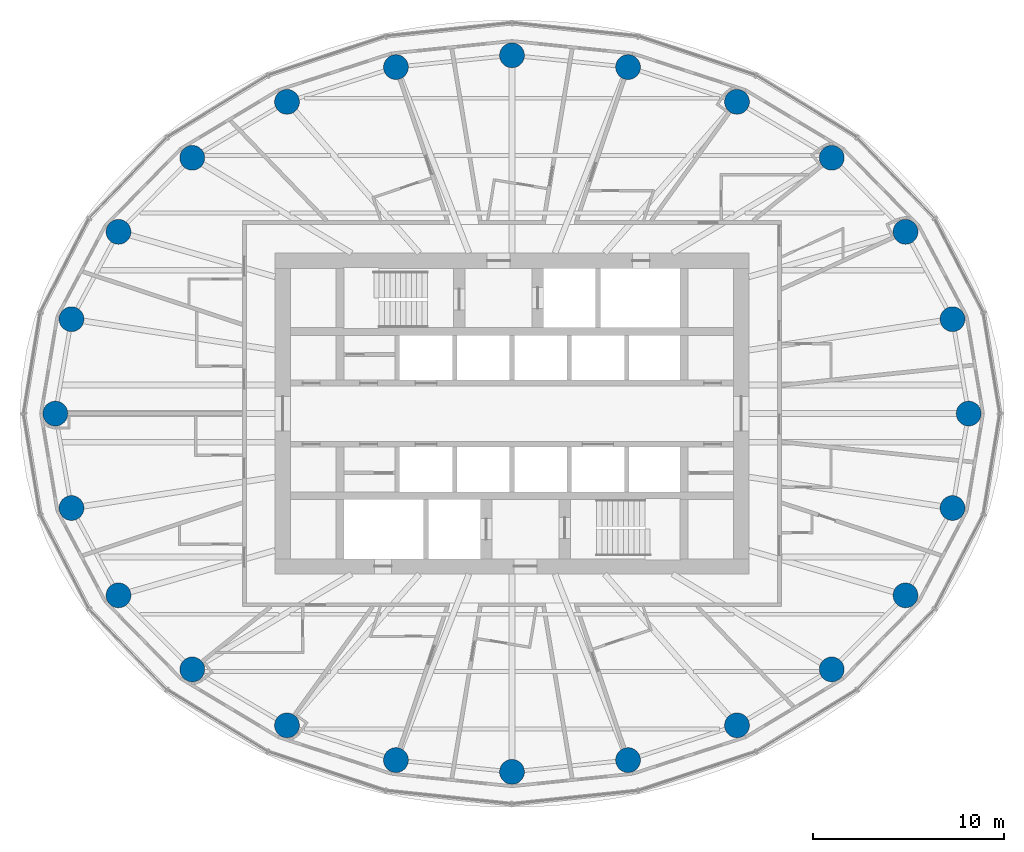
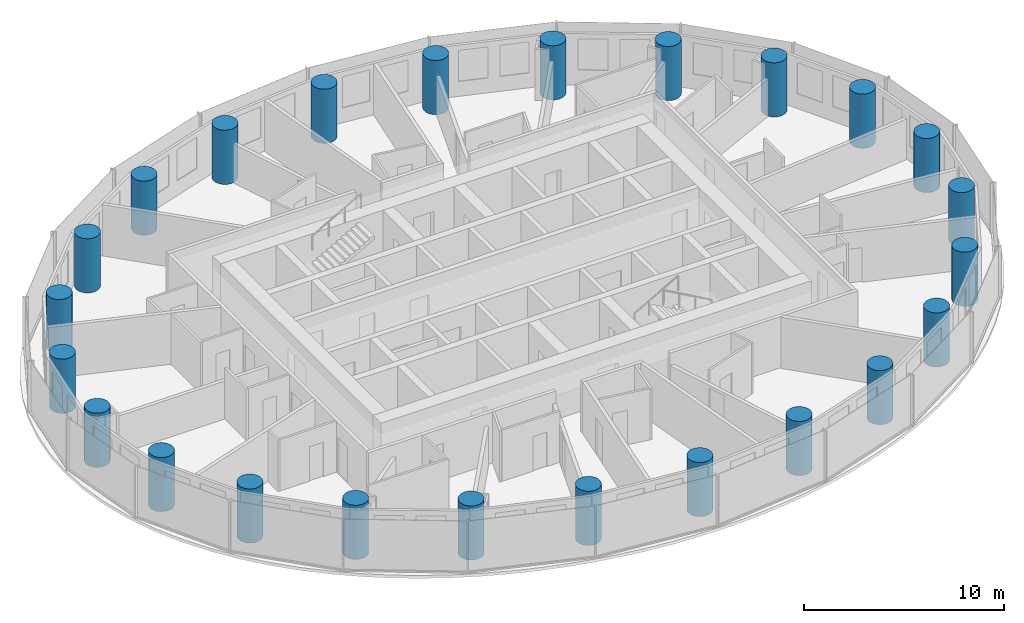
# One storey, part 1 of 13: 24 columns.
"""IFC4 building model written with IfcOpenShell, lengths in metres."""

import ifcopenshell
import ifcopenshell.guid

model = None  # the IFC model being written
_history = None  # IfcOwnerHistory: only IFC2X3 demands one
_inside = {}  # id of a spatial element -> (the spatial element, [elements in it])
_under = {}  # id of a project, library or spatial element -> (it, [spatial elements below it])
_declared = {}  # id of a project -> (the project, [libraries it declares])
_typed = {}  # id of a type object -> (the type object, [elements of that type])
_made_of = {}  # id of a material, layer set ... -> (it, [elements and type objects made of it])


def new_model(schema):
    """Start an empty IFC model of exactly this schema.

    Asked for "IFC4X3", IfcOpenShell would pick the latest addendum, in which some entities
    have other attributes; the version numbers below select the first issue.
    IFC2X3 requires an IfcOwnerHistory on every rooted entity: one is made here for all.
    """
    global model, _history
    if schema == "IFC4X3":
        model = ifcopenshell.file(schema_version=(4, 3, 0, 0))
    else:
        model = ifcopenshell.file(schema=schema)
    _inside.clear()
    _under.clear()
    _declared.clear()
    _typed.clear()
    _made_of.clear()
    _history = None
    if model.schema == "IFC2X3":
        org = make("IfcOrganization", Name="unknown")
        user = make(
            "IfcPersonAndOrganization",
            ThePerson=make("IfcPerson", FamilyName="unknown"),
            TheOrganization=org,
        )
        app = make(
            "IfcApplication",
            ApplicationDeveloper=org,
            Version="unknown",
            ApplicationFullName="unknown",
            ApplicationIdentifier="unknown",
        )
        _history = make(
            "IfcOwnerHistory",
            OwningUser=user,
            OwningApplication=app,
            ChangeAction="ADDED",
            CreationDate=0,
        )
    return model


def make(cls, **values):
    """One entity of the class cls with the attributes given. An attribute that is None is left unset."""
    return model.create_entity(
        cls, **{name: value for name, value in values.items() if value is not None}
    )


def rooted(cls, **values):
    """An entity with a GlobalId (a new one), such as an element, a storey or a relation."""
    return make(cls, GlobalId=ifcopenshell.guid.new(), OwnerHistory=_history, **values)


def si_unit(unit_type, name, prefix=None):
    """IfcSIUnit, for example si_unit("LENGTHUNIT", "METRE", prefix="MILLI")."""
    return make("IfcSIUnit", UnitType=unit_type, Prefix=prefix, Name=name)


def assignment(units):
    """IfcUnitAssignment: the units of a project."""
    return None if units is None else make("IfcUnitAssignment", Units=units)


def point(xyz):
    """IfcCartesianPoint."""
    return None if xyz is None else make("IfcCartesianPoint", Coordinates=xyz)


def direction(xyz):
    """IfcDirection."""
    return None if xyz is None else make("IfcDirection", DirectionRatios=xyz)


def frame(location, z_axis=None, x_axis=None):
    """IfcAxis2Placement3D, a coordinate frame: its origin and axes. An axis left out is left unset."""
    return make(
        "IfcAxis2Placement3D",
        Location=point(location),
        Axis=direction(z_axis),
        RefDirection=direction(x_axis),
    )


def frame_2d(location, x_axis=None):
    """IfcAxis2Placement2D, a coordinate frame in the plane: its origin and x axis."""
    return make(
        "IfcAxis2Placement2D", Location=point(location), RefDirection=direction(x_axis)
    )


def origin():
    """The frame at (0, 0, 0) with its axes left unset."""
    return frame((0.0, 0.0, 0.0))


def origin_2d():
    """The frame at (0, 0) in the plane with its x axis left unset."""
    return frame_2d((0.0, 0.0))


def place(relative_to, where):
    """IfcLocalPlacement: puts the frame where relative to a parent placement (None: the world)."""
    return make(
        "IfcLocalPlacement", PlacementRelTo=relative_to, RelativePlacement=where
    )


def context(
    kind, dimensions, precision=None, world=None, true_north=None, identifier=None
):
    """IfcGeometricRepresentationContext, for example the 3D "Model" context."""
    return make(
        "IfcGeometricRepresentationContext",
        ContextIdentifier=identifier,
        ContextType=kind,
        CoordinateSpaceDimension=dimensions,
        Precision=precision,
        WorldCoordinateSystem=world,
        TrueNorth=true_north,
    )


def subcontext(parent, identifier, kind, view, scale=None):
    """IfcGeometricRepresentationSubContext, for example "Body" below "Model"."""
    return make(
        "IfcGeometricRepresentationSubContext",
        ContextIdentifier=identifier,
        ContextType=kind,
        ParentContext=parent,
        TargetScale=scale,
        TargetView=view,
    )


def project(units=None, contexts=None):
    """IfcProject with its units and contexts."""
    return rooted(
        "IfcProject",
        Name="project",
        RepresentationContexts=contexts,
        UnitsInContext=assignment(units),
    )


def spatial(cls, under=None, at=None, **own):
    """A site, building, storey or space (cls), placed at a placement, below another one or the project."""
    s = rooted(cls, ObjectPlacement=at, **own)
    if under is not None:
        _under.setdefault(under.id(), (under, []))[1].append(s)
    return s


def profile(cls, at=None, kind="AREA", **sizes):
    """A parametric profile (cls). Its sizes go by their IFC names, for example OverallWidth=200.0."""
    return make(cls, ProfileType=kind, Position=at, **sizes)


def circle(**sizes):
    """IfcCircleProfileDef."""
    return profile("IfcCircleProfileDef", **sizes)


def extrude(swept, where, along, depth):
    """IfcExtrudedAreaSolid: the profile swept, set in the frame where, extruded along a direction by depth."""
    return make(
        "IfcExtrudedAreaSolid",
        SweptArea=swept,
        Position=where,
        ExtrudedDirection=direction(along),
        Depth=depth,
    )


def shape(context_of_items, identifier, shape_type, items):
    """IfcShapeRepresentation: the items that make up one representation, for example the "Body"."""
    return make(
        "IfcShapeRepresentation",
        ContextOfItems=context_of_items,
        RepresentationIdentifier=identifier,
        RepresentationType=shape_type,
        Items=items,
    )


def material(Name=None, Category=None):
    """IfcMaterial."""
    return make("IfcMaterial", Name=Name, Category=Category)


def material_profile(
    of_material, cross_section, Name=None, Category=None, Priority=None
):
    """IfcMaterialProfile: a cross section and its material."""
    return make(
        "IfcMaterialProfile",
        Name=Name,
        Material=of_material,
        Profile=cross_section,
        Priority=Priority,
        Category=Category,
    )


def profile_set(profiles, Name=None, composite=None):
    """IfcMaterialProfileSet."""
    return make(
        "IfcMaterialProfileSet",
        Name=Name,
        MaterialProfiles=profiles,
        CompositeProfile=composite,
    )


def made_of(thing, what):
    """Note that an element or type object is made of a material, layer set ...; save() writes the relation."""
    if what is not None:
        _made_of.setdefault(what.id(), (what, []))[1].append(thing)
    return thing


def type_object(cls, material=None, **own):
    """A type object (cls), such as IfcWallType, which elements share."""
    return made_of(rooted(cls, **own), material)


def element(
    cls,
    number,
    at=None,
    inside=None,
    cuts=None,
    type_object=None,
    material=None,
    context=None,
    identifier="Body",
    shape_type=None,
    held_by="IfcProductDefinitionShape",
    body=None,
    shapes=None,
    **own,
):
    """One element of the class cls, such as IfcWall. Its Tag is "e" and its number.

    at: its placement. inside: the storey or other place that contains it. cuts: it is an
    opening in that element (IfcRelVoidsElement). A single representation is given by context,
    identifier, shape_type and body (its items); several are given by shapes. held_by: the class
    of the entity that holds the representations. save() writes the other relations.
    """
    e = rooted(cls, Tag="e%d" % number, ObjectPlacement=at, **own)
    if body is not None:
        shapes = [shape(context, identifier, shape_type, body)]
    if shapes is not None:
        e.Representation = make(held_by, Representations=shapes)
    if inside is not None:
        _inside.setdefault(inside.id(), (inside, []))[1].append(e)
    if cuts is not None:
        rooted(
            "IfcRelVoidsElement", RelatingBuildingElement=cuts, RelatedOpeningElement=e
        )
    if type_object is not None:
        _typed.setdefault(type_object.id(), (type_object, []))[1].append(e)
    return made_of(e, material)


def aggregate(whole, parts):
    """IfcRelAggregates: a whole, such as a stair, and the parts it consists of."""
    return rooted("IfcRelAggregates", RelatingObject=whole, RelatedObjects=parts)


def save(model, path):
    """Write the relations noted so far, then the file.

    IfcRelAggregates (storeys below a building ...), IfcRelContainedInSpatialStructure (elements
    in a storey), IfcRelDefinesByType, IfcRelAssociatesMaterial and IfcRelDeclares: one each for
    every whole, place, type object, material and project.
    """
    for whole, parts in _under.values():
        aggregate(whole, parts)
    for where, things in _inside.values():
        rooted(
            "IfcRelContainedInSpatialStructure",
            RelatedElements=things,
            RelatingStructure=where,
        )
    for kind, things in _typed.values():
        rooted("IfcRelDefinesByType", RelatedObjects=things, RelatingType=kind)
    for what, things in _made_of.values():
        rooted("IfcRelAssociatesMaterial", RelatedObjects=things, RelatingMaterial=what)
    for by, libraries in _declared.values():
        rooted("IfcRelDeclares", RelatingContext=by, RelatedDefinitions=libraries)
    model.write(path)


model = new_model("IFC4")

# Units and contexts
model_context = context("Model", 3, precision=1e-05, world=origin(), true_north=direction((0.0, 1.0)))
body_context = subcontext(model_context, "Body", "Model", "MODEL_VIEW")
ifc_project = project(units=[si_unit("LENGTHUNIT", "METRE"), si_unit("AREAUNIT", "SQUARE_METRE"), si_unit("VOLUMEUNIT", "CUBIC_METRE"), si_unit("PLANEANGLEUNIT", "RADIAN"), si_unit("MASSUNIT", "GRAM", prefix="KILO")], contexts=[model_context])

# Site, building, storey
site_placement = place(None, origin())
site = spatial("IfcSite", under=ifc_project, at=site_placement, CompositionType="ELEMENT")
building_placement = place(site_placement, origin())
building = spatial("IfcBuilding", under=site, at=building_placement, Name="Hankou Lantern Tower", CompositionType="ELEMENT")
storey_placement = place(building_placement, frame((0.0, 0.0, 125.39990234375)))
storey = spatial("IfcBuildingStorey", under=building, at=storey_placement, Name="L32", CompositionType="ELEMENT", Elevation=125.39990234375)

# Columns
ifc_material = material(Name="Concrete C60", Category="concrete")
ifc_material_profile = material_profile(ifc_material, circle(Radius=0.64990234375, at=origin_2d()), Name="RC D1300")
ifc_profile_set = profile_set([ifc_material_profile], Name="Concrete C60")
column_type = type_object("IfcColumnType", Name="TC3 PERIMETER COLUMN RC D1300", PredefinedType="COLUMN", material=ifc_profile_set)
for number, where, z_axis, x_axis, name in (
    (1, (23.89990234375, 0.0, 0.0), (0.0, 0.0, 1.0), (1.0, 0.0, 0.0), "Column R01 L32"),
    (2, (23.054931640625, 4.942138671875, 0.0), (0.0, 0.0, 1.0), (1.0, 0.0, 0.0), "Column R02 L32"),
    (3, (20.595703125, 9.5126953125, 0.0), (0.0, 0.0, 1.0), (1.0, 0.0, 0.0), "Column R03 L32"),
    (4, (16.73388671875, 13.38720703125, 0.0), (0.0, 0.0, 1.0), (1.0, 0.0, 0.0), "Column R04 L32"),
    (5, (11.775390625, 16.31640625, 0.0), (0.0, 0.0, 1.0), (1.0, 0.0, 0.0), "Column R05 L32"),
    (6, (6.073974609375, 18.134521484375, 0.0), (0.0, 0.0, 1.0), (1.0, 0.0, 0.0), "Column R06 L32"),
    (7, (0.0, 18.75, 0.0), (0.0, 0.0, 1.0), (1.0, 0.0, 0.0), "Column R07 L32"),
    (8, (-6.073974609375, 18.134521484375, 0.0), (0.0, 0.0, 1.0), (1.0, 0.0, 0.0), "Column R08 L32"),
    (9, (-11.775390625, 16.31640625, 0.0), (0.0, 0.0, 1.0), (1.0, 0.0, 0.0), "Column R09 L32"),
    (10, (-16.73388671875, 13.38720703125, 0.0), (0.0, 0.0, 1.0), (1.0, 0.0, 0.0), "Column R10 L32"),
    (11, (-20.595703125, 9.5126953125, 0.0), (0.0, 0.0, 1.0), (1.0, 0.0, 0.0), "Column R11 L32"),
    (12, (-23.054931640625, 4.942138671875, 0.0), (0.0, 0.0, 1.0), (1.0, 0.0, 0.0), "Column R12 L32"),
    (13, (-23.89990234375, 0.0, 0.0), (0.0, 0.0, 1.0), (1.0, 0.0, 0.0), "Column R13 L32"),
    (14, (-23.054931640625, -4.942138671875, 0.0), (0.0, 0.0, 1.0), (1.0, 0.0, 0.0), "Column R14 L32"),
    (15, (-20.595703125, -9.5126953125, 0.0), (0.0, 0.0, 1.0), (1.0, 0.0, 0.0), "Column R15 L32"),
    (16, (-16.73388671875, -13.38720703125, 0.0), (0.0, 0.0, 1.0), (1.0, 0.0, 0.0), "Column R16 L32"),
    (17, (-11.775390625, -16.31640625, 0.0), (0.0, 0.0, 1.0), (1.0, 0.0, 0.0), "Column R17 L32"),
    (18, (-6.073974609375, -18.134521484375, 0.0), (0.0, 0.0, 1.0), (1.0, 0.0, 0.0), "Column R18 L32"),
    (19, (0.0, -18.75, 0.0), (0.0, 0.0, 1.0), (1.0, 0.0, 0.0), "Column R19 L32"),
    (20, (6.073974609375, -18.134521484375, 0.0), (0.0, 0.0, 1.0), (1.0, 0.0, 0.0), "Column R20 L32"),
    (21, (11.775390625, -16.31640625, 0.0), (0.0, 0.0, 1.0), (1.0, 0.0, 0.0), "Column R21 L32"),
    (22, (16.73388671875, -13.38720703125, 0.0), (0.0, 0.0, 1.0), (1.0, 0.0, 0.0), "Column R22 L32"),
    (23, (20.595703125, -9.5126953125, 0.0), (0.0, 0.0, 1.0), (1.0, 0.0, 0.0), "Column R23 L32"),
    (24, (23.054931640625, -4.942138671875, 0.0), (0.0, 0.0, 1.0), (1.0, 0.0, 0.0), "Column R24 L32"),
):
    element("IfcColumn", number, at=place(storey_placement, frame(where, z_axis=z_axis, x_axis=x_axis)), inside=storey, type_object=column_type, Name=name, PredefinedType="COLUMN", context=body_context, shape_type="SweptSolid", body=[
        extrude(circle(Radius=0.64990234375, at=origin_2d()), origin(), (0.0, 0.0, 1.0), 3.300048828125),
    ])

save(model, "model.ifc")
